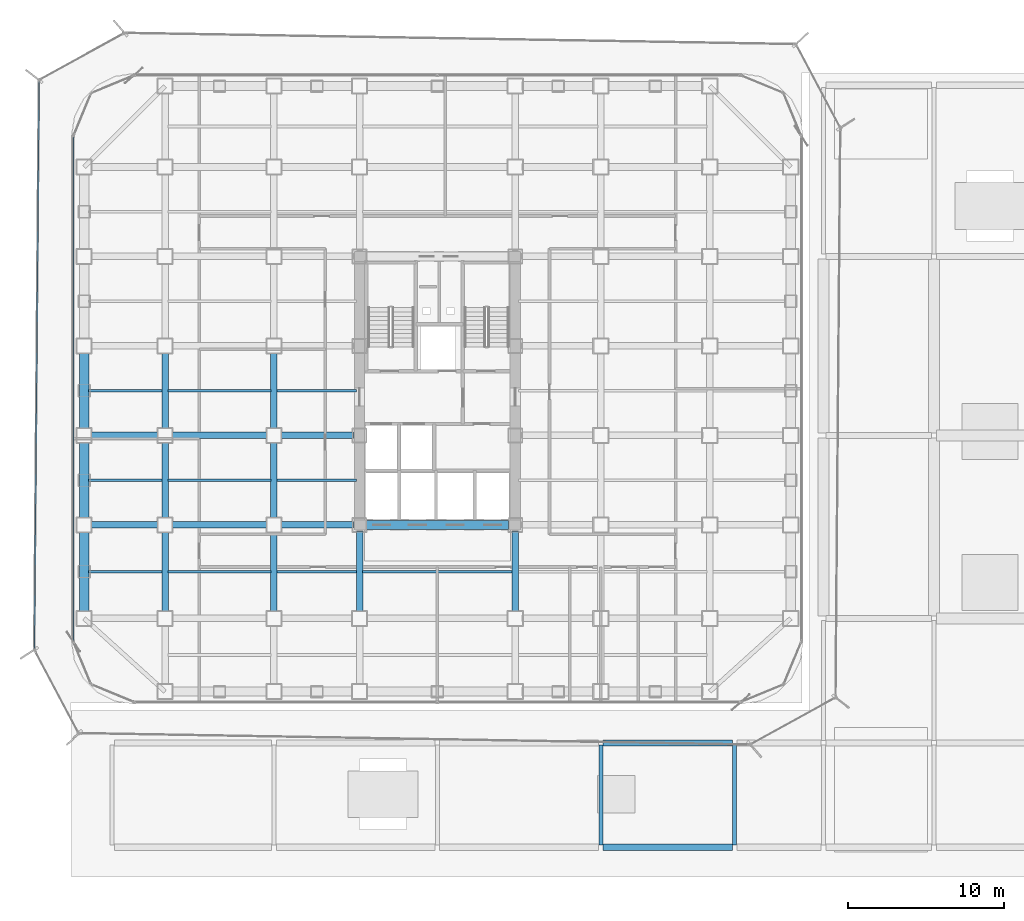
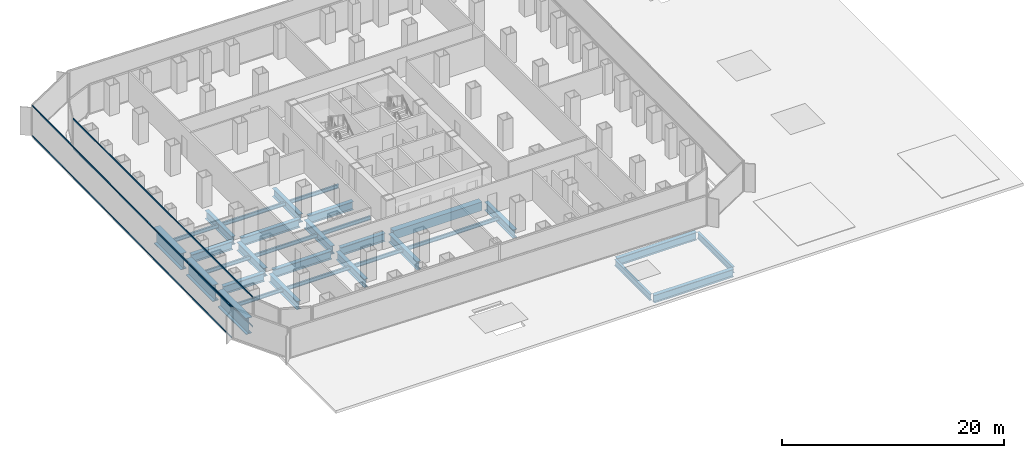
# One storey, part 6 of 27: 32 beams, 4 members, 2 elements without a shape of their own.
"""IFC4 building model written with IfcOpenShell, lengths in metres."""

from ifc_helpers import new_model, si_unit, direction, frame, origin, origin_2d, place, context, subcontext, project, spatial, rectangle, hollow_rectangle, i_section, extrude, source, transform, mapped, material, layer, layer_set, material_profile, profile_set, type_object, element, aggregate, save


model = new_model("IFC4")

# Units and contexts
model_context = context("Model", 3, precision=1e-05, world=origin(), true_north=direction((0.0, 1.0)))
body_context = subcontext(model_context, "Body", "Model", "MODEL_VIEW")
ifc_project = project(units=[si_unit("LENGTHUNIT", "METRE"), si_unit("AREAUNIT", "SQUARE_METRE"), si_unit("VOLUMEUNIT", "CUBIC_METRE"), si_unit("PLANEANGLEUNIT", "RADIAN"), si_unit("MASSUNIT", "GRAM", prefix="KILO")], contexts=[model_context])

# Site, building, storey
site_placement = place(None, origin())
site = spatial("IfcSite", under=ifc_project, at=site_placement, CompositionType="ELEMENT")
building_placement = place(site_placement, origin())
building = spatial("IfcBuilding", under=site, at=building_placement, Name="Kolveth Station Tower", CompositionType="ELEMENT")
storey_placement = place(building_placement, frame((0.0, 0.0, 22.5)))
storey = spatial("IfcBuildingStorey", under=building, at=storey_placement, Name="L05", CompositionType="ELEMENT", Elevation=22.5)

# Beams
ifc_material_1 = material(Name="Steel S355", Category="steel")
ifc_material_profile_1 = material_profile(ifc_material_1, i_section(OverallWidth=0.41796875, OverallDepth=0.912109375, WebThickness=0.019287109375, FlangeThickness=0.031982421875, at=origin_2d()), Name="W920x342")
ifc_profile_set_1 = profile_set([ifc_material_profile_1], Name="Steel S355")
beam_type_1 = type_object("IfcBeamType", Name="Beam_B1", PredefinedType="BEAM", material=ifc_profile_set_1)
shared_shape_1 = source(origin(), body_context, "Body", "SweptSolid", [
    extrude(i_section(OverallWidth=0.41796875, OverallDepth=0.912109375, WebThickness=0.019287109375, FlangeThickness=0.031982421875, at=origin_2d()), origin(), (0.0, 0.0, 1.0), 4.300048828125),
])
for number, where, z_axis, x_axis, name in (
    (1, (1.25, 11.5, -0.81591796875), (1.0, 0.0, 0.0), (0.0, 1.0, 0.0), "L05 Primary Girder BM-L05-GY115-1"),
    (2, (1.25, 17.25, -0.81591796875), (1.0, 0.0, 0.0), (0.0, 1.0, 0.0), "L05 Primary Girder BM-L05-GY172-1"),
):
    element("IfcBeam", number, at=place(storey_placement, frame(where, z_axis=z_axis, x_axis=x_axis)), inside=storey, type_object=beam_type_1, Name=name, PredefinedType="BEAM", context=body_context, shape_type="MappedRepresentation", body=[
        mapped(shared_shape_1, transform((0.0, 0.0, 0.0), x_axis=(1.0, 0.0, 0.0), y_axis=(0.0, 1.0, 0.0), z_axis=(0.0, 0.0, 1.0), scale=1.0)),
    ])
shared_shape_2 = source(origin(), body_context, "Body", "SweptSolid", [
    extrude(i_section(OverallWidth=0.41796875, OverallDepth=0.912109375, WebThickness=0.019287109375, FlangeThickness=0.031982421875, at=origin_2d()), origin(), (0.0, 0.0, 1.0), 6.10009765625),
])
for number, where, z_axis, x_axis, name in (
    (3, (6.449951171875, 11.5, -0.81591796875), (1.0, 0.0, 0.0), (0.0, 1.0, 0.0), "L05 Primary Girder BM-L05-GY115-2"),
    (4, (6.449951171875, 17.25, -0.81591796875), (1.0, 0.0, 0.0), (0.0, 1.0, 0.0), "L05 Primary Girder BM-L05-GY172-2"),
):
    element("IfcBeam", number, at=place(storey_placement, frame(where, z_axis=z_axis, x_axis=x_axis)), inside=storey, type_object=beam_type_1, Name=name, PredefinedType="BEAM", context=body_context, shape_type="MappedRepresentation", body=[
        mapped(shared_shape_2, transform((0.0, 0.0, 0.0), x_axis=(1.0, 0.0, 0.0), y_axis=(0.0, 1.0, 0.0), z_axis=(0.0, 0.0, 1.0), scale=1.0)),
    ])
shared_shape_3 = source(origin(), body_context, "Body", "SweptSolid", [
    extrude(i_section(OverallWidth=0.41796875, OverallDepth=0.912109375, WebThickness=0.019287109375, FlangeThickness=0.031982421875, at=origin_2d()), origin(), (0.0, 0.0, 1.0), 4.650146484375),
])
for number, where, z_axis, x_axis, name in (
    (5, (13.449951171875, 11.5, -0.81591796875), (1.0, 0.0, 0.0), (0.0, 1.0, 0.0), "L05 Primary Girder BM-L05-GY115-3"),
    (6, (13.449951171875, 17.25, -0.81591796875), (1.0, 0.0, 0.0), (0.0, 1.0, 0.0), "L05 Primary Girder BM-L05-GY172-3"),
):
    element("IfcBeam", number, at=place(storey_placement, frame(where, z_axis=z_axis, x_axis=x_axis)), inside=storey, type_object=beam_type_1, Name=name, PredefinedType="BEAM", context=body_context, shape_type="MappedRepresentation", body=[
        mapped(shared_shape_3, transform((0.0, 0.0, 0.0), x_axis=(1.0, 0.0, 0.0), y_axis=(0.0, 1.0, 0.0), z_axis=(0.0, 0.0, 1.0), scale=1.0)),
    ])
ifc_material_2 = material(Name="Concrete C60/75", Category="concrete")
ifc_material_profile_2 = material_profile(ifc_material_2, rectangle(XDim=0.60009765625, YDim=0.949951171875, at=origin_2d()), Name="RC-600x950")
ifc_profile_set_2 = profile_set([ifc_material_profile_2], Name="Concrete C60/75")
beam_type_2 = type_object("IfcBeamType", Name="Beam_CB1", PredefinedType="BEAM", material=ifc_profile_set_2)
shared_shape_4 = source(origin(), body_context, "Body", "SweptSolid", [
    extrude(rectangle(XDim=0.60009765625, YDim=0.949951171875, at=origin_2d()), origin(), (0.0, 0.0, 1.0), 9.2001953125),
])
beam_1_placement = place(storey_placement, frame((18.89990234375, 11.5, -0.8349609375), z_axis=(1.0, 0.0, 0.0), x_axis=(0.0, 1.0, 0.0)))
element("IfcBeam", 7, at=beam_1_placement, inside=storey, type_object=beam_type_2, Name="L05 Core Coupling Beam BM-L05-CB-Y115", PredefinedType="BEAM", context=body_context, shape_type="MappedRepresentation", body=[
    mapped(shared_shape_4, transform((0.0, 0.0, 0.0), x_axis=(1.0, 0.0, 0.0), y_axis=(0.0, 1.0, 0.0), z_axis=(0.0, 0.0, 1.0), scale=1.0)),
])
shared_shape_5 = source(origin(), body_context, "Body", "SweptSolid", [
    extrude(i_section(OverallWidth=0.41796875, OverallDepth=0.912109375, WebThickness=0.019287109375, FlangeThickness=0.031982421875, at=origin_2d()), origin(), (0.0, 0.0, 1.0), 5.10009765625),
])
for number, where, z_axis, x_axis, name in (
    (8, (6.0, 5.949951171875, -0.81591796875), (0.0, 1.0, 0.0), (-1.0, 0.0, 0.0), "L05 Primary Girder BM-L05-GX60-2"),
    (9, (13.0, 5.949951171875, -0.81591796875), (0.0, 1.0, 0.0), (-1.0, 0.0, 0.0), "L05 Primary Girder BM-L05-GX130-2"),
):
    element("IfcBeam", number, at=place(storey_placement, frame(where, z_axis=z_axis, x_axis=x_axis)), inside=storey, type_object=beam_type_1, Name=name, PredefinedType="BEAM", context=body_context, shape_type="MappedRepresentation", body=[
        mapped(shared_shape_5, transform((0.0, 0.0, 0.0), x_axis=(1.0, 0.0, 0.0), y_axis=(0.0, 1.0, 0.0), z_axis=(0.0, 0.0, 1.0), scale=1.0)),
    ])
shared_shape_6 = source(origin(), body_context, "Body", "SweptSolid", [
    extrude(i_section(OverallWidth=0.41796875, OverallDepth=0.912109375, WebThickness=0.019287109375, FlangeThickness=0.031982421875, at=origin_2d()), origin(), (0.0, 0.0, 1.0), 4.85009765625),
])
for number, where, z_axis, x_axis, name in (
    (10, (6.0, 11.949951171875, -0.81591796875), (0.0, 1.0, 0.0), (-1.0, 0.0, 0.0), "L05 Primary Girder BM-L05-GX60-3"),
    (11, (6.0, 17.699951171875, -0.81591796875), (0.0, 1.0, 0.0), (-1.0, 0.0, 0.0), "L05 Primary Girder BM-L05-GX60-4"),
    (12, (13.0, 11.949951171875, -0.81591796875), (0.0, 1.0, 0.0), (-1.0, 0.0, 0.0), "L05 Primary Girder BM-L05-GX130-3"),
    (13, (13.0, 17.699951171875, -0.81591796875), (0.0, 1.0, 0.0), (-1.0, 0.0, 0.0), "L05 Primary Girder BM-L05-GX130-4"),
):
    element("IfcBeam", number, at=place(storey_placement, frame(where, z_axis=z_axis, x_axis=x_axis)), inside=storey, type_object=beam_type_1, Name=name, PredefinedType="BEAM", context=body_context, shape_type="MappedRepresentation", body=[
        mapped(shared_shape_6, transform((0.0, 0.0, 0.0), x_axis=(1.0, 0.0, 0.0), y_axis=(0.0, 1.0, 0.0), z_axis=(0.0, 0.0, 1.0), scale=1.0)),
    ])
shared_shape_7 = source(origin(), body_context, "Body", "SweptSolid", [
    extrude(i_section(OverallWidth=0.41796875, OverallDepth=0.912109375, WebThickness=0.019287109375, FlangeThickness=0.031982421875, at=origin_2d()), origin(), (0.0, 0.0, 1.0), 5.150146484375),
])
for number, where, z_axis, x_axis, name in (
    (14, (18.5, 5.949951171875, -0.81591796875), (0.0, 1.0, 0.0), (-1.0, 0.0, 0.0), "L05 Primary Girder BM-L05-GX185-2"),
    (15, (28.5, 5.949951171875, -0.81591796875), (0.0, 1.0, 0.0), (-1.0, 0.0, 0.0), "L05 Primary Girder BM-L05-GX285-2"),
):
    element("IfcBeam", number, at=place(storey_placement, frame(where, z_axis=z_axis, x_axis=x_axis)), inside=storey, type_object=beam_type_1, Name=name, PredefinedType="BEAM", context=body_context, shape_type="MappedRepresentation", body=[
        mapped(shared_shape_7, transform((0.0, 0.0, 0.0), x_axis=(1.0, 0.0, 0.0), y_axis=(0.0, 1.0, 0.0), z_axis=(0.0, 0.0, 1.0), scale=1.0)),
    ])
ifc_material_profile_3 = material_profile(ifc_material_1, i_section(OverallWidth=0.177978515625, OverallDepth=0.406982421875, WebThickness=0.0078125, FlangeThickness=0.0126953125, at=origin_2d()), Name="W410x60")
ifc_profile_set_3 = profile_set([ifc_material_profile_3], Name="Steel S355")
beam_type_3 = type_object("IfcBeamType", Name="Beam_J1", PredefinedType="JOIST", material=ifc_profile_set_3)
shared_shape_8 = source(origin(), body_context, "Body", "SweptSolid", [
    extrude(i_section(OverallWidth=0.177978515625, OverallDepth=0.406982421875, WebThickness=0.0078125, FlangeThickness=0.0126953125, at=origin_2d()), origin(), (0.0, 0.0, 1.0), 6.60986328125),
])
for number, where, z_axis, x_axis, name in (
    (16, (6.195068359375, 8.5, -0.5634765625), (1.0, 0.0, 0.0), (0.0, 1.0, 0.0), "L05 Secondary Joist JST-L05-2-2"),
    (17, (6.195068359375, 14.375, -0.5634765625), (1.0, 0.0, 0.0), (0.0, 1.0, 0.0), "L05 Secondary Joist JST-L05-2-3"),
    (18, (6.195068359375, 20.125, -0.5634765625), (1.0, 0.0, 0.0), (0.0, 1.0, 0.0), "L05 Secondary Joist JST-L05-2-4"),
):
    element("IfcBeam", number, at=place(storey_placement, frame(where, z_axis=z_axis, x_axis=x_axis)), inside=storey, type_object=beam_type_3, Name=name, PredefinedType="JOIST", context=body_context, shape_type="MappedRepresentation", body=[
        mapped(shared_shape_8, transform((0.0, 0.0, 0.0), x_axis=(1.0, 0.0, 0.0), y_axis=(0.0, 1.0, 0.0), z_axis=(0.0, 0.0, 1.0), scale=1.0)),
    ])
shared_shape_9 = source(origin(), body_context, "Body", "SweptSolid", [
    extrude(i_section(OverallWidth=0.177978515625, OverallDepth=0.406982421875, WebThickness=0.0078125, FlangeThickness=0.0126953125, at=origin_2d()), origin(), (0.0, 0.0, 1.0), 5.10986328125),
])
for number, where, z_axis, x_axis, name in (
    (19, (13.195068359375, 8.5, -0.5634765625), (1.0, 0.0, 0.0), (0.0, 1.0, 0.0), "L05 Secondary Joist JST-L05-3-2"),
    (20, (13.195068359375, 14.375, -0.5634765625), (1.0, 0.0, 0.0), (0.0, 1.0, 0.0), "L05 Secondary Joist JST-L05-3-3"),
    (21, (13.195068359375, 20.125, -0.5634765625), (1.0, 0.0, 0.0), (0.0, 1.0, 0.0), "L05 Secondary Joist JST-L05-3-4"),
):
    element("IfcBeam", number, at=place(storey_placement, frame(where, z_axis=z_axis, x_axis=x_axis)), inside=storey, type_object=beam_type_3, Name=name, PredefinedType="JOIST", context=body_context, shape_type="MappedRepresentation", body=[
        mapped(shared_shape_9, transform((0.0, 0.0, 0.0), x_axis=(1.0, 0.0, 0.0), y_axis=(0.0, 1.0, 0.0), z_axis=(0.0, 0.0, 1.0), scale=1.0)),
    ])
shared_shape_10 = source(origin(), body_context, "Body", "SweptSolid", [
    extrude(i_section(OverallWidth=0.177978515625, OverallDepth=0.406982421875, WebThickness=0.0078125, FlangeThickness=0.0126953125, at=origin_2d()), origin(), (0.0, 0.0, 1.0), 9.60986328125),
])
beam_2_placement = place(storey_placement, frame((18.695068359375, 8.5, -0.5634765625), z_axis=(1.0, 0.0, 0.0), x_axis=(0.0, 1.0, 0.0)))
element("IfcBeam", 22, at=beam_2_placement, inside=storey, type_object=beam_type_3, Name="L05 Secondary Joist JST-L05-4-2", PredefinedType="JOIST", context=body_context, shape_type="MappedRepresentation", body=[
    mapped(shared_shape_10, transform((0.0, 0.0, 0.0), x_axis=(1.0, 0.0, 0.0), y_axis=(0.0, 1.0, 0.0), z_axis=(0.0, 0.0, 1.0), scale=1.0)),
])
ifc_material_profile_4 = material_profile(ifc_material_1, i_section(OverallWidth=0.40087890625, OverallDepth=0.85107421875, WebThickness=0.01611328125, FlangeThickness=0.025390625, at=origin_2d()), Name="W840x226")
ifc_profile_set_4 = profile_set([ifc_material_profile_4], Name="Steel S355")
beam_type_4 = type_object("IfcBeamType", Name="Beam_B2", PredefinedType="BEAM", material=ifc_profile_set_4)
shared_shape_11 = source(origin(), body_context, "Body", "SweptSolid", [
    extrude(i_section(OverallWidth=0.40087890625, OverallDepth=0.85107421875, WebThickness=0.01611328125, FlangeThickness=0.025390625, at=origin_2d()), origin(), (0.0, 0.0, 1.0), 8.300048828125),
])
for number, where, z_axis, x_axis, name in (
    (23, (34.14990234375, -9.199951171875, -0.7255859375), (1.0, 0.0, 0.0), (0.0, 1.0, 0.0), "L05 Station Concourse Girder SBM-L05-SL1-4"),
    (24, (34.14990234375, -2.5, -0.7255859375), (1.0, 0.0, 0.0), (0.0, 1.0, 0.0), "L05 Station Concourse Girder SBM-L05-SL2-4"),
):
    element("IfcBeam", number, at=place(storey_placement, frame(where, z_axis=z_axis, x_axis=x_axis)), inside=storey, type_object=beam_type_4, Name=name, PredefinedType="BEAM", context=body_context, shape_type="MappedRepresentation", body=[
        mapped(shared_shape_11, transform((0.0, 0.0, 0.0), x_axis=(1.0, 0.0, 0.0), y_axis=(0.0, 1.0, 0.0), z_axis=(0.0, 0.0, 1.0), scale=1.0)),
    ])
ifc_material_profile_5 = material_profile(ifc_material_1, i_section(OverallWidth=0.25390625, OverallDepth=0.68798828125, WebThickness=0.01318359375, FlangeThickness=0.02099609375, at=origin_2d()), Name="W690x152")
ifc_profile_set_5 = profile_set([ifc_material_profile_5], Name="Steel S355")
beam_type_5 = type_object("IfcBeamType", Name="Beam_B4", PredefinedType="BEAM", material=ifc_profile_set_5)
shared_shape_12 = source(origin(), body_context, "Body", "SweptSolid", [
    extrude(i_section(OverallWidth=0.25390625, OverallDepth=0.68798828125, WebThickness=0.01318359375, FlangeThickness=0.02099609375, at=origin_2d()), origin(), (0.0, 0.0, 1.0), 6.400146484375),
])
for number, where, z_axis, x_axis, name in (
    (25, (34.0, -9.050048828125, -0.64404296875), (0.0, 1.0, 0.0), (-1.0, 0.0, 0.0), "L05 Station Transverse Beam SBM-L05-ST-4"),
    (26, (42.60009765625, -9.050048828125, -0.64404296875), (0.0, 1.0, 0.0), (-1.0, 0.0, 0.0), "L05 Station Transverse Beam SBM-L05-ST-5"),
):
    element("IfcBeam", number, at=place(storey_placement, frame(where, z_axis=z_axis, x_axis=x_axis)), inside=storey, type_object=beam_type_5, Name=name, PredefinedType="BEAM", context=body_context, shape_type="MappedRepresentation", body=[
        mapped(shared_shape_12, transform((0.0, 0.0, 0.0), x_axis=(1.0, 0.0, 0.0), y_axis=(0.0, 1.0, 0.0), z_axis=(0.0, 0.0, 1.0), scale=1.0)),
    ])
ifc_material_3 = material(Name="Steel S460", Category="steel")
ifc_material_profile_6 = material_profile(ifc_material_3, i_section(OverallWidth=0.60009765625, OverallDepth=1.800048828125, WebThickness=0.031982421875, FlangeThickness=0.06005859375, at=origin_2d()), Name="PG1800x600x60")
ifc_profile_set_6 = profile_set([ifc_material_profile_6], Name="Steel S460")
beam_type_6 = type_object("IfcBeamType", Name="Beam_TG2", PredefinedType="BEAM", material=ifc_profile_set_6)
shared_shape_13 = source(origin(), body_context, "Body", "SweptSolid", [
    extrude(i_section(OverallWidth=0.60009765625, OverallDepth=1.800048828125, WebThickness=0.031982421875, FlangeThickness=0.06005859375, at=origin_2d()), origin(), (0.0, 0.0, 1.0), 5.10009765625),
])
beam_3_placement = place(storey_placement, frame((0.800048828125, 5.949951171875, -1.260009765625), z_axis=(0.0, 1.0, 0.0), x_axis=(-1.0, 0.0, 0.0)))
element("IfcBeam", 27, at=beam_3_placement, inside=storey, type_object=beam_type_6, Name="L05 Transfer Girder BM-L05-PW-1", PredefinedType="BEAM", context=body_context, shape_type="MappedRepresentation", body=[
    mapped(shared_shape_13, transform((0.0, 0.0, 0.0), x_axis=(1.0, 0.0, 0.0), y_axis=(0.0, 1.0, 0.0), z_axis=(0.0, 0.0, 1.0), scale=1.0)),
])
shared_shape_14 = source(origin(), body_context, "Body", "SweptSolid", [
    extrude(i_section(OverallWidth=0.60009765625, OverallDepth=1.800048828125, WebThickness=0.031982421875, FlangeThickness=0.06005859375, at=origin_2d()), origin(), (0.0, 0.0, 1.0), 4.85009765625),
])
for number, where, z_axis, x_axis, name in (
    (28, (0.800048828125, 11.949951171875, -1.260009765625), (0.0, 1.0, 0.0), (-1.0, 0.0, 0.0), "L05 Transfer Girder BM-L05-PW-2"),
    (29, (0.800048828125, 17.699951171875, -1.260009765625), (0.0, 1.0, 0.0), (-1.0, 0.0, 0.0), "L05 Transfer Girder BM-L05-PW-3"),
):
    element("IfcBeam", number, at=place(storey_placement, frame(where, z_axis=z_axis, x_axis=x_axis)), inside=storey, type_object=beam_type_6, Name=name, PredefinedType="BEAM", context=body_context, shape_type="MappedRepresentation", body=[
        mapped(shared_shape_14, transform((0.0, 0.0, 0.0), x_axis=(1.0, 0.0, 0.0), y_axis=(0.0, 1.0, 0.0), z_axis=(0.0, 0.0, 1.0), scale=1.0)),
    ])
shared_shape_15 = source(origin(), body_context, "Body", "SweptSolid", [
    extrude(i_section(OverallWidth=0.177978515625, OverallDepth=0.406982421875, WebThickness=0.0078125, FlangeThickness=0.0126953125, at=origin_2d()), origin(), (0.0, 0.0, 1.0), 4.70703125),
])
for number, where, z_axis, x_axis, name in (
    (30, (1.097900390625, 8.5, -0.5634765625), (1.0, 0.0, 0.0), (0.0, 1.0, 0.0), "L05 Secondary Joist JST-L05-1-2"),
    (31, (1.097900390625, 14.375, -0.5634765625), (1.0, 0.0, 0.0), (0.0, 1.0, 0.0), "L05 Secondary Joist JST-L05-1-3"),
    (32, (1.097900390625, 20.125, -0.5634765625), (1.0, 0.0, 0.0), (0.0, 1.0, 0.0), "L05 Secondary Joist JST-L05-1-4"),
):
    element("IfcBeam", number, at=place(storey_placement, frame(where, z_axis=z_axis, x_axis=x_axis)), inside=storey, type_object=beam_type_3, Name=name, PredefinedType="JOIST", context=body_context, shape_type="MappedRepresentation", body=[
        mapped(shared_shape_15, transform((0.0, 0.0, 0.0), x_axis=(1.0, 0.0, 0.0), y_axis=(0.0, 1.0, 0.0), z_axis=(0.0, 0.0, 1.0), scale=1.0)),
    ])

# Curtain wall, members
ifc_material_4 = material(Name="Aluminium 6063-T6 and low-E dark glass", Category="aluminium")
ifc_layer_1 = layer(ifc_material_4, 0.179931640625)
ifc_layer_set_1 = layer_set([ifc_layer_1], Name="Aluminium 6063-T6 and low-E dark glass")
curtain_wall_type_1 = type_object("IfcCurtainWallType", Name="CurtainWall_CW-Z1", PredefinedType="NOTDEFINED", material=ifc_layer_set_1)
curtain_wall_1_placement = place(storey_placement, origin())
curtain_wall_1 = element("IfcCurtainWall", 33, at=curtain_wall_1_placement, inside=storey, type_object=curtain_wall_type_1, Name="L05 Inner Thermal Curtain Wall 9", PredefinedType="NOTDEFINED")
ifc_material_5 = material(Name="Black anodized aluminium 6063-T6", Category="aluminium")
ifc_material_profile_7 = material_profile(ifc_material_5, hollow_rectangle(XDim=0.074951171875, YDim=0.159912109375, WallThickness=0.0048828125, at=origin_2d()), Name="ALU-75x160x5")
ifc_profile_set_7 = profile_set([ifc_material_profile_7], Name="Black anodized aluminium 6063-T6")
member_type_1 = type_object("IfcMemberType", Name="Transom_TR1", PredefinedType="USERDEFINED", material=ifc_profile_set_7)
shared_shape_16 = source(origin(), body_context, "Body", "SweptSolid", [
    extrude(hollow_rectangle(XDim=0.074951171875, YDim=0.159912109375, WallThickness=0.0048828125, at=origin_2d()), origin(), (0.0, 0.0, 1.0), 32.35009765625),
])
member_1_placement = place(storey_placement, frame((0.1201171875, 36.425048828125, 0.03759765625), z_axis=(0.0, -1.0, 0.0), x_axis=(1.0, 0.0, 0.0)))
member_1 = element("IfcMember", 34, at=member_1_placement, type_object=member_type_1, Name="CW-Z1 transom 1.1", ObjectType="TRANSOM", PredefinedType="USERDEFINED", context=body_context, shape_type="MappedRepresentation", body=[
    mapped(shared_shape_16, transform((0.0, 0.0, 0.0), x_axis=(1.0, 0.0, 0.0), y_axis=(0.0, 1.0, 0.0), z_axis=(0.0, 0.0, 1.0), scale=1.0)),
])
member_2_placement = place(storey_placement, frame((0.1201171875, 36.425048828125, 3.282470703125), z_axis=(0.0, -1.0, 0.0), x_axis=(1.0, 0.0, 0.0)))
member_2 = element("IfcMember", 35, at=member_2_placement, type_object=member_type_1, Name="CW-Z1 transom 1.2", ObjectType="TRANSOM", PredefinedType="USERDEFINED", context=body_context, shape_type="MappedRepresentation", body=[
    mapped(shared_shape_16, transform((0.0, 0.0, 0.0), x_axis=(1.0, 0.0, 0.0), y_axis=(0.0, 1.0, 0.0), z_axis=(0.0, 0.0, 1.0), scale=1.0)),
])
aggregate(curtain_wall_1, [member_1, member_2])

ifc_material_6 = material(Name="Black anodized aluminium 6063-T6 and dark solar glass", Category="aluminium")
ifc_layer_2 = layer(ifc_material_6, 0.159912109375)
ifc_layer_set_2 = layer_set([ifc_layer_2], Name="Black anodized aluminium 6063-T6 and dark solar glass")
curtain_wall_type_2 = type_object("IfcCurtainWallType", Name="OUTER SKIN CW-OS", PredefinedType="NOTDEFINED", material=ifc_layer_set_2)
curtain_wall_2_placement = place(storey_placement, origin())
curtain_wall_2 = element("IfcCurtainWall", 36, at=curtain_wall_2_placement, inside=storey, type_object=curtain_wall_type_2, Name="L05 Outer Ventilated Skin Curtain Wall 6", PredefinedType="NOTDEFINED")
ifc_material_profile_8 = material_profile(ifc_material_5, hollow_rectangle(XDim=0.080078125, YDim=0.14990234375, WallThickness=0.0048828125, at=origin_2d()), Name="ALU-80x150x5")
ifc_profile_set_8 = profile_set([ifc_material_profile_8], Name="Black anodized aluminium 6063-T6")
member_type_2 = type_object("IfcMemberType", Name="Transom_TR-OS", PredefinedType="USERDEFINED", material=ifc_profile_set_8)
shared_shape_17 = source(origin(), body_context, "Body", "SweptSolid", [
    extrude(hollow_rectangle(XDim=0.080078125, YDim=0.14990234375, WallThickness=0.0048828125, at=origin_2d()), origin(), (0.0, 0.0, 1.0), 36.416259765625),
])
member_3_placement = place(storey_placement, frame((-2.089599609375, 39.99560546875, 0.0400390625), z_axis=(-0.008232711952, -0.999966110653, 0.0), x_axis=(0.999966110653, -0.008232711952, 0.0)))
member_3 = element("IfcMember", 37, at=member_3_placement, type_object=member_type_2, Name="CW-OS transom 1.1", ObjectType="TRANSOM", PredefinedType="USERDEFINED", context=body_context, shape_type="MappedRepresentation", body=[
    mapped(shared_shape_17, transform((0.0, 0.0, 0.0), x_axis=(1.0, 0.0, 0.0), y_axis=(0.0, 1.0, 0.0), z_axis=(0.0, 0.0, 1.0), scale=1.0)),
])
member_4_placement = place(storey_placement, frame((-2.089599609375, 39.99560546875, 3.35009765625), z_axis=(-0.008232711952, -0.999966110653, 0.0), x_axis=(0.999966110653, -0.008232711952, 0.0)))
member_4 = element("IfcMember", 38, at=member_4_placement, type_object=member_type_2, Name="CW-OS transom 1.2", ObjectType="TRANSOM", PredefinedType="USERDEFINED", context=body_context, shape_type="MappedRepresentation", body=[
    mapped(shared_shape_17, transform((0.0, 0.0, 0.0), x_axis=(1.0, 0.0, 0.0), y_axis=(0.0, 1.0, 0.0), z_axis=(0.0, 0.0, 1.0), scale=1.0)),
])
aggregate(curtain_wall_2, [member_3, member_4])

save(model, "model.ifc")
